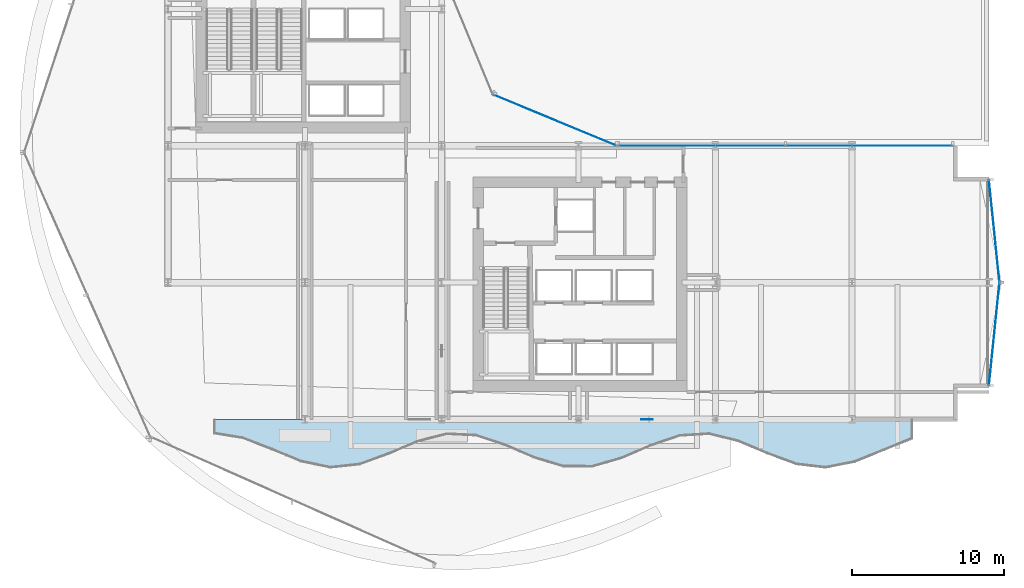
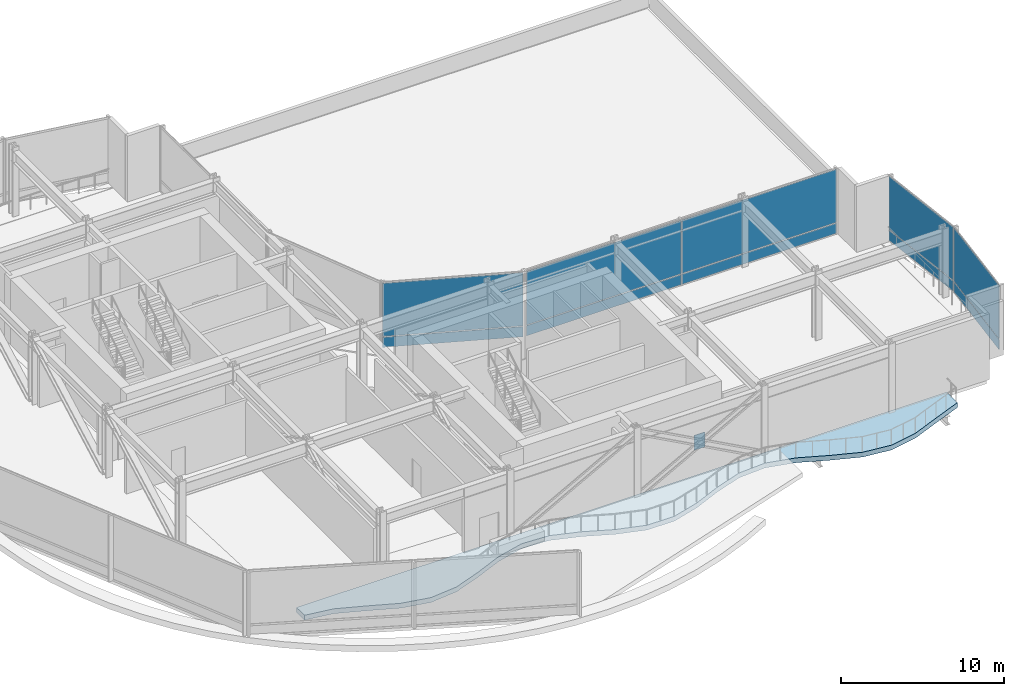
# One storey, part 25 of 37: 11 plates, 1 slab, 4 elements without a shape of their own.
"""IFC4 building model written with IfcOpenShell, lengths in metres."""

from ifc_helpers import new_model, si_unit, direction, frame, origin, origin_2d, place, context, subcontext, project, spatial, polyline, rectangle, outline, extrude, material, layer, layer_set, type_object, element, aggregate, save


model = new_model("IFC4")

# Units and contexts
model_context = context("Model", 3, precision=1e-05, world=origin(), true_north=direction((0.0, 1.0)))
body_context = subcontext(model_context, "Body", "Model", "MODEL_VIEW")
ifc_project = project(units=[si_unit("LENGTHUNIT", "METRE"), si_unit("AREAUNIT", "SQUARE_METRE"), si_unit("VOLUMEUNIT", "CUBIC_METRE"), si_unit("PLANEANGLEUNIT", "RADIAN"), si_unit("MASSUNIT", "GRAM", prefix="KILO")], contexts=[model_context])

# Site, building, storey
site_placement = place(None, origin())
site = spatial("IfcSite", under=ifc_project, at=site_placement, CompositionType="ELEMENT")
building_placement = place(site_placement, origin())
building = spatial("IfcBuilding", under=site, at=building_placement, Name="Solvaryn Broadcast Tower", CompositionType="ELEMENT")
storey_placement = place(building_placement, frame((0.0, 0.0, 30.800048828125)))
storey = spatial("IfcBuildingStorey", under=building, at=storey_placement, Name="L06", CompositionType="ELEMENT", Elevation=30.800048828125)

# Curtain wall, plates
ifc_material_1 = material(Name="Aluminium and Terracotta Unitised Curtain Wall", Category="masonry")
ifc_layer_1 = layer(ifc_material_1, 0.199951171875)
ifc_layer_set_1 = layer_set([ifc_layer_1], Name="CW-SYS2-LOWMID")
curtain_wall_type = type_object("IfcCurtainWallType", Name="CW-SYS2-LOWMID", PredefinedType="NOTDEFINED", material=ifc_layer_set_1)
curtain_wall_1_placement = place(storey_placement, origin())
curtain_wall_1 = element("IfcCurtainWall", 1, at=curtain_wall_1_placement, inside=storey, type_object=curtain_wall_type, Name="L06 Curtain Wall CN1", PredefinedType="NOTDEFINED")
ifc_material_2 = material(Name="Kiln-Fired Architectural Terracotta Spandrel", Category="masonry")
ifc_layer_2 = layer(ifc_material_2, 0.048095703125)
ifc_layer_set_2 = layer_set([ifc_layer_2], Name="CW-PNL-TERRACOTTA")
plate_type_1 = type_object("IfcPlateType", Name="CW-PNL-TERRACOTTA", PredefinedType="CURTAIN_PANEL", material=ifc_layer_set_2)
plate_1_placement = place(storey_placement, frame((34.43408203125, 28.68408203125, 0.06005859375), z_axis=(0.0, 0.0, 1.0), x_axis=(-0.923894983957, 0.382646127145, 0.0)))
plate_1 = element("IfcPlate", 2, at=plate_1_placement, type_object=plate_type_1, Name="CWS2 panel 1.1", PredefinedType="CURTAIN_PANEL", context=body_context, shape_type="SweptSolid", body=[
    extrude(rectangle(XDim=8.681884765625, YDim=0.028076171875, at=origin_2d()), origin(), (0.0, 0.0, 1.0), 0.760009765625),
])
plate_2_placement = place(storey_placement, frame((34.43408203125, 28.68408203125, 0.8798828125), z_axis=(0.0, 0.0, 1.0), x_axis=(-0.923894983957, 0.382646127145, 0.0)))
plate_2 = element("IfcPlate", 3, at=plate_2_placement, type_object=plate_type_1, Name="CWS2 panel 1.2", PredefinedType="CURTAIN_PANEL", context=body_context, shape_type="SweptSolid", body=[
    extrude(rectangle(XDim=8.681884765625, YDim=0.028076171875, at=origin_2d()), origin(), (0.0, 0.0, 1.0), 3.97998046875),
])
aggregate(curtain_wall_1, [plate_1, plate_2])

curtain_wall_2_placement = place(storey_placement, origin())
curtain_wall_2 = element("IfcCurtainWall", 4, at=curtain_wall_2_placement, inside=storey, type_object=curtain_wall_type, Name="L06 Curtain Wall ET1", PredefinedType="NOTDEFINED")
plate_3_placement = place(storey_placement, frame((63.35009765625, 21.39990234375, 0.06005859375), z_axis=(0.0, 0.0, 1.0), x_axis=(0.10240004548, -0.99474329889, 0.0)))
plate_3 = element("IfcPlate", 5, at=plate_3_placement, type_object=plate_type_1, Name="CWS2 panel 1.1", PredefinedType="CURTAIN_PANEL", context=body_context, shape_type="SweptSolid", body=[
    extrude(rectangle(XDim=6.7158203125, YDim=0.028076171875, at=origin_2d()), origin(), (0.0, 0.0, 1.0), 0.760009765625),
])
plate_4_placement = place(storey_placement, frame((63.35009765625, 21.39990234375, 0.8798828125), z_axis=(0.0, 0.0, 1.0), x_axis=(0.10240004548, -0.99474329889, 0.0)))
plate_4 = element("IfcPlate", 6, at=plate_4_placement, type_object=plate_type_1, Name="CWS2 panel 1.2", PredefinedType="CURTAIN_PANEL", context=body_context, shape_type="SweptSolid", body=[
    extrude(rectangle(XDim=6.7158203125, YDim=0.028076171875, at=origin_2d()), origin(), (0.0, 0.0, 1.0), 3.97998046875),
])
aggregate(curtain_wall_2, [plate_3, plate_4])

curtain_wall_3_placement = place(storey_placement, origin())
curtain_wall_3 = element("IfcCurtainWall", 7, at=curtain_wall_3_placement, inside=storey, type_object=curtain_wall_type, Name="L06 Curtain Wall ET2", PredefinedType="NOTDEFINED")
plate_5_placement = place(storey_placement, frame((63.35009765625, 14.60009765625, 0.06005859375), z_axis=(0.0, 0.0, 1.0), x_axis=(-0.10240004548, -0.99474329889, 0.0)))
plate_5 = element("IfcPlate", 8, at=plate_5_placement, type_object=plate_type_1, Name="CWS2 panel 1.1", PredefinedType="CURTAIN_PANEL", context=body_context, shape_type="SweptSolid", body=[
    extrude(rectangle(XDim=6.7158203125, YDim=0.028076171875, at=origin_2d()), origin(), (0.0, 0.0, 1.0), 0.760009765625),
])
plate_6_placement = place(storey_placement, frame((63.35009765625, 14.60009765625, 0.8798828125), z_axis=(0.0, 0.0, 1.0), x_axis=(-0.10240004548, -0.99474329889, 0.0)))
plate_6 = element("IfcPlate", 9, at=plate_6_placement, type_object=plate_type_1, Name="CWS2 panel 1.2", PredefinedType="CURTAIN_PANEL", context=body_context, shape_type="SweptSolid", body=[
    extrude(rectangle(XDim=6.7158203125, YDim=0.028076171875, at=origin_2d()), origin(), (0.0, 0.0, 1.0), 3.97998046875),
])
aggregate(curtain_wall_3, [plate_5, plate_6])

curtain_wall_4_placement = place(storey_placement, origin())
curtain_wall_4 = element("IfcCurtainWall", 10, at=curtain_wall_4_placement, inside=storey, type_object=curtain_wall_type, Name="L06 Curtain Wall IH", PredefinedType="NOTDEFINED")
plate_7_placement = place(storey_placement, frame((44.12744140625, 27.0, 0.06005859375), z_axis=(0.0, 0.0, 1.0), x_axis=(1.0, 0.0, 0.0)))
plate_7 = element("IfcPlate", 11, at=plate_7_placement, type_object=plate_type_1, Name="CWS2 panel 1.1", PredefinedType="CURTAIN_PANEL", context=body_context, shape_type="SweptSolid", body=[
    extrude(rectangle(XDim=10.93505859375, YDim=0.028076171875, at=origin_2d()), origin(), (0.0, 0.0, 1.0), 0.760009765625),
])
plate_8_placement = place(storey_placement, frame((44.12744140625, 27.0, 0.8798828125), z_axis=(0.0, 0.0, 1.0), x_axis=(1.0, 0.0, 0.0)))
plate_8 = element("IfcPlate", 12, at=plate_8_placement, type_object=plate_type_1, Name="CWS2 panel 1.2", PredefinedType="CURTAIN_PANEL", context=body_context, shape_type="SweptSolid", body=[
    extrude(rectangle(XDim=10.93505859375, YDim=0.028076171875, at=origin_2d()), origin(), (0.0, 0.0, 1.0), 3.97998046875),
])
plate_9_placement = place(storey_placement, frame((55.12255859375, 27.0, 0.06005859375), z_axis=(0.0, 0.0, 1.0), x_axis=(1.0, 0.0, 0.0)))
plate_9 = element("IfcPlate", 13, at=plate_9_placement, type_object=plate_type_1, Name="CWS2 panel 2.1", PredefinedType="CURTAIN_PANEL", context=body_context, shape_type="SweptSolid", body=[
    extrude(rectangle(XDim=10.93505859375, YDim=0.028076171875, at=origin_2d()), origin(), (0.0, 0.0, 1.0), 0.760009765625),
])
plate_10_placement = place(storey_placement, frame((55.12255859375, 27.0, 0.8798828125), z_axis=(0.0, 0.0, 1.0), x_axis=(1.0, 0.0, 0.0)))
plate_10 = element("IfcPlate", 14, at=plate_10_placement, type_object=plate_type_1, Name="CWS2 panel 2.2", PredefinedType="CURTAIN_PANEL", context=body_context, shape_type="SweptSolid", body=[
    extrude(rectangle(XDim=10.93505859375, YDim=0.028076171875, at=origin_2d()), origin(), (0.0, 0.0, 1.0), 3.97998046875),
])
aggregate(curtain_wall_4, [plate_7, plate_8, plate_9, plate_10])

# Plate
ifc_material_3 = material(Name="Steel ASTM A572 Grade 50", Category="steel")
ifc_layer_3 = layer(ifc_material_3, 0.050048828125)
ifc_layer_set_3 = layer_set([ifc_layer_3], Name="PL-GUSSET-50")
plate_type_2 = type_object("IfcPlateType", Name="PL-GUSSET-50", PredefinedType="SHEET", material=ifc_layer_set_3)
plate_11_placement = place(storey_placement, frame((40.5, 9.0, 1.909912109375), z_axis=(0.0, 0.0, 1.0), x_axis=(1.0, 0.0, 0.0)))
element("IfcPlate", 15, at=plate_11_placement, inside=storey, type_object=plate_type_2, Name="L06 Transfer Belt X-Bay 36-45 X-Crossing Gusset Node Plate", PredefinedType="SHEET", context=body_context, shape_type="SweptSolid", body=[
    extrude(rectangle(XDim=0.75, YDim=0.050048828125, at=origin_2d()), origin(), (0.0, 0.0, 1.0), 1.10009765625),
])

# Slab
ifc_material_4 = material(Name="Concrete f'c 60 MPa", Category="concrete")
ifc_layer_4 = layer(ifc_material_4, 0.260009765625)
ifc_layer_set_4 = layer_set([ifc_layer_4], Name="SL-TER-260")
slab_type = type_object("IfcSlabType", Name="SL-TER-260", PredefinedType="FLOOR", material=ifc_layer_set_4)
slab_placement = place(storey_placement, frame((0.0, 0.0, -0.360107421875)))
element("IfcSlab", 16, at=slab_placement, inside=storey, type_object=slab_type, Name="L06 Wave-Edged Terrace Slab TS06S", PredefinedType="FLOOR", context=body_context, shape_type="SweptSolid", body=[
    extrude(outline(polyline([(12.0, 8.02490234375), (13.9169921875, 7.720947265625), (15.8330078125, 6.97412109375), (17.75, 6.18603515625), (19.6669921875, 5.784912109375), (21.5830078125, 5.986083984375), (23.5, 6.680908203125), (25.4169921875, 7.493896484375), (27.3330078125, 7.987060546875), (29.25, 7.89208984375), (31.1669921875, 7.261962890625), (33.0830078125, 6.43603515625), (35.0, 5.861083984375), (36.9169921875, 5.846923828125), (38.8330078125, 6.402099609375), (40.75, 7.22705078125), (42.6669921875, 7.8740234375), (44.5830078125, 7.99609375), (46.5, 7.52490234375), (48.4169921875, 6.717041015625), (50.3330078125, 6.007080078125), (52.25, 5.780029296875), (54.1669921875, 6.157958984375), (56.0830078125, 6.93701171875), (58.0, 7.695068359375), (58.0, 9.0), (56.0830078125, 9.0), (54.1669921875, 9.0), (52.25, 9.0), (50.3330078125, 9.0), (48.4169921875, 9.0), (46.5, 9.0), (44.5830078125, 9.0), (42.6669921875, 9.0), (40.75, 9.0), (38.8330078125, 9.0), (36.9169921875, 9.0), (35.0, 9.0), (33.0830078125, 9.0), (31.1669921875, 9.0), (29.25, 9.0), (27.3330078125, 9.0), (25.4169921875, 9.0), (23.5, 9.0), (21.5830078125, 9.0), (19.6669921875, 9.0), (17.75, 9.0), (15.8330078125, 9.0), (13.9169921875, 9.0), (12.0, 9.0), (12.0, 8.02490234375)])), origin(), (0.0, 0.0, 1.0), 0.360107421875),
])

save(model, "model.ifc")
